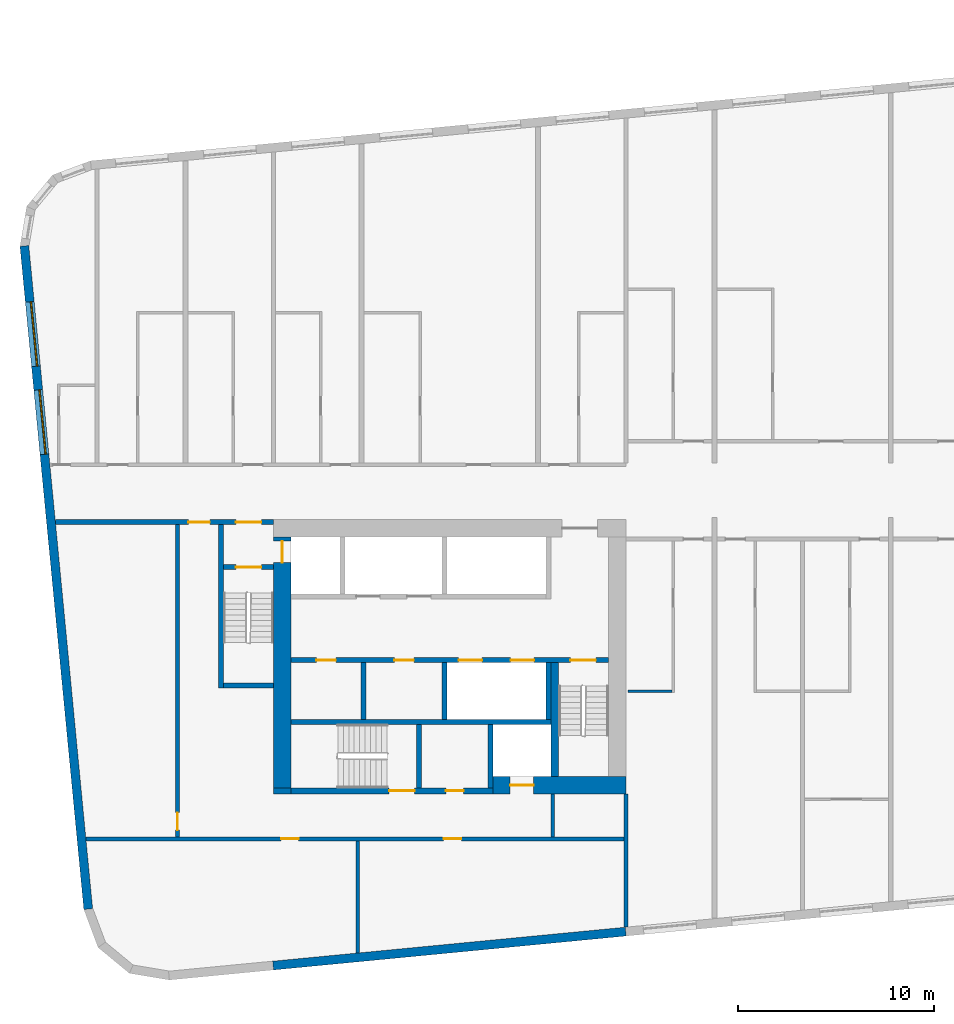
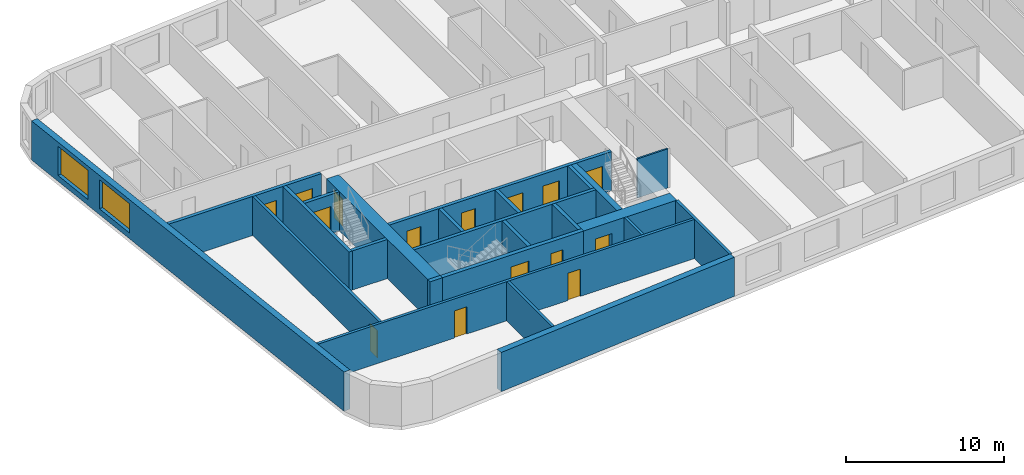
# One storey, part 2 of 12: 24 walls, 15 doors, 2 windows, 17 openings.
"""IFC4 building model written with IfcOpenShell, lengths in metres."""

import ifcopenshell
import ifcopenshell.guid

model = None  # the IFC model being written
_history = None  # IfcOwnerHistory: only IFC2X3 demands one
_inside = {}  # id of a spatial element -> (the spatial element, [elements in it])
_under = {}  # id of a project, library or spatial element -> (it, [spatial elements below it])
_declared = {}  # id of a project -> (the project, [libraries it declares])
_typed = {}  # id of a type object -> (the type object, [elements of that type])
_made_of = {}  # id of a material, layer set ... -> (it, [elements and type objects made of it])


def new_model(schema):
    """Start an empty IFC model of exactly this schema.

    Asked for "IFC4X3", IfcOpenShell would pick the latest addendum, in which some entities
    have other attributes; the version numbers below select the first issue.
    IFC2X3 requires an IfcOwnerHistory on every rooted entity: one is made here for all.
    """
    global model, _history
    if schema == "IFC4X3":
        model = ifcopenshell.file(schema_version=(4, 3, 0, 0))
    else:
        model = ifcopenshell.file(schema=schema)
    _inside.clear()
    _under.clear()
    _declared.clear()
    _typed.clear()
    _made_of.clear()
    _history = None
    if model.schema == "IFC2X3":
        org = make("IfcOrganization", Name="unknown")
        user = make(
            "IfcPersonAndOrganization",
            ThePerson=make("IfcPerson", FamilyName="unknown"),
            TheOrganization=org,
        )
        app = make(
            "IfcApplication",
            ApplicationDeveloper=org,
            Version="unknown",
            ApplicationFullName="unknown",
            ApplicationIdentifier="unknown",
        )
        _history = make(
            "IfcOwnerHistory",
            OwningUser=user,
            OwningApplication=app,
            ChangeAction="ADDED",
            CreationDate=0,
        )
    return model


def make(cls, **values):
    """One entity of the class cls with the attributes given. An attribute that is None is left unset."""
    return model.create_entity(
        cls, **{name: value for name, value in values.items() if value is not None}
    )


def rooted(cls, **values):
    """An entity with a GlobalId (a new one), such as an element, a storey or a relation."""
    return make(cls, GlobalId=ifcopenshell.guid.new(), OwnerHistory=_history, **values)


def si_unit(unit_type, name, prefix=None):
    """IfcSIUnit, for example si_unit("LENGTHUNIT", "METRE", prefix="MILLI")."""
    return make("IfcSIUnit", UnitType=unit_type, Prefix=prefix, Name=name)


def assignment(units):
    """IfcUnitAssignment: the units of a project."""
    return None if units is None else make("IfcUnitAssignment", Units=units)


def point(xyz):
    """IfcCartesianPoint."""
    return None if xyz is None else make("IfcCartesianPoint", Coordinates=xyz)


def direction(xyz):
    """IfcDirection."""
    return None if xyz is None else make("IfcDirection", DirectionRatios=xyz)


def frame(location, z_axis=None, x_axis=None):
    """IfcAxis2Placement3D, a coordinate frame: its origin and axes. An axis left out is left unset."""
    return make(
        "IfcAxis2Placement3D",
        Location=point(location),
        Axis=direction(z_axis),
        RefDirection=direction(x_axis),
    )


def frame_2d(location, x_axis=None):
    """IfcAxis2Placement2D, a coordinate frame in the plane: its origin and x axis."""
    return make(
        "IfcAxis2Placement2D", Location=point(location), RefDirection=direction(x_axis)
    )


def origin():
    """The frame at (0, 0, 0) with its axes left unset."""
    return frame((0.0, 0.0, 0.0))


def place(relative_to, where):
    """IfcLocalPlacement: puts the frame where relative to a parent placement (None: the world)."""
    return make(
        "IfcLocalPlacement", PlacementRelTo=relative_to, RelativePlacement=where
    )


def context(
    kind, dimensions, precision=None, world=None, true_north=None, identifier=None
):
    """IfcGeometricRepresentationContext, for example the 3D "Model" context."""
    return make(
        "IfcGeometricRepresentationContext",
        ContextIdentifier=identifier,
        ContextType=kind,
        CoordinateSpaceDimension=dimensions,
        Precision=precision,
        WorldCoordinateSystem=world,
        TrueNorth=true_north,
    )


def subcontext(parent, identifier, kind, view, scale=None):
    """IfcGeometricRepresentationSubContext, for example "Body" below "Model"."""
    return make(
        "IfcGeometricRepresentationSubContext",
        ContextIdentifier=identifier,
        ContextType=kind,
        ParentContext=parent,
        TargetScale=scale,
        TargetView=view,
    )


def project(units=None, contexts=None):
    """IfcProject with its units and contexts."""
    return rooted(
        "IfcProject",
        Name="project",
        RepresentationContexts=contexts,
        UnitsInContext=assignment(units),
    )


def spatial(cls, under=None, at=None, **own):
    """A site, building, storey or space (cls), placed at a placement, below another one or the project."""
    s = rooted(cls, ObjectPlacement=at, **own)
    if under is not None:
        _under.setdefault(under.id(), (under, []))[1].append(s)
    return s


def profile(cls, at=None, kind="AREA", **sizes):
    """A parametric profile (cls). Its sizes go by their IFC names, for example OverallWidth=200.0."""
    return make(cls, ProfileType=kind, Position=at, **sizes)


def rectangle(**sizes):
    """IfcRectangleProfileDef."""
    return profile("IfcRectangleProfileDef", **sizes)


def extrude(swept, where, along, depth):
    """IfcExtrudedAreaSolid: the profile swept, set in the frame where, extruded along a direction by depth."""
    return make(
        "IfcExtrudedAreaSolid",
        SweptArea=swept,
        Position=where,
        ExtrudedDirection=direction(along),
        Depth=depth,
    )


def shape(context_of_items, identifier, shape_type, items):
    """IfcShapeRepresentation: the items that make up one representation, for example the "Body"."""
    return make(
        "IfcShapeRepresentation",
        ContextOfItems=context_of_items,
        RepresentationIdentifier=identifier,
        RepresentationType=shape_type,
        Items=items,
    )


def material(Name=None, Category=None):
    """IfcMaterial."""
    return make("IfcMaterial", Name=Name, Category=Category)


def layer(
    of_material, thickness, ventilated=None, Name=None, Category=None, Priority=None
):
    """IfcMaterialLayer: one layer of a wall or slab, of a material (None: an air gap)."""
    return make(
        "IfcMaterialLayer",
        Material=of_material,
        LayerThickness=thickness,
        IsVentilated=ventilated,
        Name=Name,
        Category=Category,
        Priority=Priority,
    )


def layer_set(layers, Name=None):
    """IfcMaterialLayerSet."""
    return make("IfcMaterialLayerSet", MaterialLayers=layers, LayerSetName=Name)


def made_of(thing, what):
    """Note that an element or type object is made of a material, layer set ...; save() writes the relation."""
    if what is not None:
        _made_of.setdefault(what.id(), (what, []))[1].append(thing)
    return thing


def type_object(cls, material=None, **own):
    """A type object (cls), such as IfcWallType, which elements share."""
    return made_of(rooted(cls, **own), material)


def element(
    cls,
    number,
    at=None,
    inside=None,
    cuts=None,
    type_object=None,
    material=None,
    context=None,
    identifier="Body",
    shape_type=None,
    held_by="IfcProductDefinitionShape",
    body=None,
    shapes=None,
    **own,
):
    """One element of the class cls, such as IfcWall. Its Tag is "e" and its number.

    at: its placement. inside: the storey or other place that contains it. cuts: it is an
    opening in that element (IfcRelVoidsElement). A single representation is given by context,
    identifier, shape_type and body (its items); several are given by shapes. held_by: the class
    of the entity that holds the representations. save() writes the other relations.
    """
    e = rooted(cls, Tag="e%d" % number, ObjectPlacement=at, **own)
    if body is not None:
        shapes = [shape(context, identifier, shape_type, body)]
    if shapes is not None:
        e.Representation = make(held_by, Representations=shapes)
    if inside is not None:
        _inside.setdefault(inside.id(), (inside, []))[1].append(e)
    if cuts is not None:
        rooted(
            "IfcRelVoidsElement", RelatingBuildingElement=cuts, RelatedOpeningElement=e
        )
    if type_object is not None:
        _typed.setdefault(type_object.id(), (type_object, []))[1].append(e)
    return made_of(e, material)


def fill(opening, filler):
    """IfcRelFillsElement: the door or window that sits in an opening."""
    return rooted(
        "IfcRelFillsElement",
        RelatingOpeningElement=opening,
        RelatedBuildingElement=filler,
    )


def aggregate(whole, parts):
    """IfcRelAggregates: a whole, such as a stair, and the parts it consists of."""
    return rooted("IfcRelAggregates", RelatingObject=whole, RelatedObjects=parts)


def save(model, path):
    """Write the relations noted so far, then the file.

    IfcRelAggregates (storeys below a building ...), IfcRelContainedInSpatialStructure (elements
    in a storey), IfcRelDefinesByType, IfcRelAssociatesMaterial and IfcRelDeclares: one each for
    every whole, place, type object, material and project.
    """
    for whole, parts in _under.values():
        aggregate(whole, parts)
    for where, things in _inside.values():
        rooted(
            "IfcRelContainedInSpatialStructure",
            RelatedElements=things,
            RelatingStructure=where,
        )
    for kind, things in _typed.values():
        rooted("IfcRelDefinesByType", RelatedObjects=things, RelatingType=kind)
    for what, things in _made_of.values():
        rooted("IfcRelAssociatesMaterial", RelatedObjects=things, RelatingMaterial=what)
    for by, libraries in _declared.values():
        rooted("IfcRelDeclares", RelatingContext=by, RelatedDefinitions=libraries)
    model.write(path)


model = new_model("IFC4")

# Units and contexts
model_context = context("Model", 3, precision=1e-05, world=origin(), true_north=direction((0.0, 1.0)))
body_context = subcontext(model_context, "Body", "Model", "MODEL_VIEW")
ifc_project = project(units=[si_unit("LENGTHUNIT", "METRE"), si_unit("AREAUNIT", "SQUARE_METRE"), si_unit("VOLUMEUNIT", "CUBIC_METRE"), si_unit("PLANEANGLEUNIT", "RADIAN"), si_unit("MASSUNIT", "GRAM", prefix="KILO")], contexts=[model_context])

# Site, building, storey
site_placement = place(None, origin())
site = spatial("IfcSite", under=ifc_project, at=site_placement, CompositionType="ELEMENT")
building_placement = place(site_placement, origin())
building = spatial("IfcBuilding", under=site, at=building_placement, Name="Kajstack Hotel Tower", CompositionType="ELEMENT")
storey_placement = place(building_placement, frame((0.0, 0.0, 199.89990234375)))
storey = spatial("IfcBuildingStorey", under=building, at=storey_placement, Name="L48", CompositionType="ELEMENT", Elevation=199.89990234375)

# Wall, opening, door
ifc_material_1 = material(Name="Concrete C60/75", Category="concrete")
ifc_layer_1 = layer(ifc_material_1, 0.89990234375)
ifc_layer_set_1 = layer_set([ifc_layer_1], Name="Core wall 900")
wall_type_1 = type_object("IfcWallType", Name="Core wall 900", PredefinedType="SHEAR", material=ifc_layer_set_1)
wall_1_placement = place(storey_placement, frame((-20.300048828125, -15.050048828125, 0.0), z_axis=(0.0, 0.0, 1.0), x_axis=(1.0, 0.0, 0.0)))
wall_1 = element("IfcWall", 1, at=wall_1_placement, inside=storey, type_object=wall_type_1, Name="Core wall W RS", PredefinedType="SHEAR", context=body_context, shape_type="SweptSolid", body=[
    extrude(rectangle(XDim=6.800048828125, YDim=0.89990234375, at=frame_2d((3.39990234375, 0.0))), origin(), (0.0, 0.0, 1.0), 3.02001953125),
])
opening_1_placement = place(wall_1_placement, frame((0.875, 0.0, 0.0)))
opening_1 = element("IfcOpeningElement", 2, at=opening_1_placement, cuts=wall_1, Name="Opening LD-SV1", PredefinedType="OPENING", context=body_context, shape_type="SweptSolid", body=[
    extrude(rectangle(XDim=1.199951171875, YDim=2.10009765625, at=frame_2d((0.60009765625, 1.050048828125))), frame((0.0, 0.4599609375, 0.0), z_axis=(0.0, -1.0, 0.0), x_axis=(1.0, 0.0, 0.0)), (0.0, 0.0, 1.0), 0.919921875),
])
ifc_material_2 = material(Name="Stainless steel", Category="steel")
door_type_1 = type_object("IfcDoorType", Name="Lift landing door 1200", OperationType="SLIDING_TO_LEFT", PredefinedType="DOOR", material=ifc_material_2)
door_1_placement = place(opening_1_placement, origin())
door_1 = element("IfcDoor", 3, at=door_1_placement, inside=storey, type_object=door_type_1, Name="Landing door SV1", OperationType="SLIDING_TO_LEFT", OverallHeight=2.10009765625, OverallWidth=1.199951171875, PredefinedType="DOOR", context=body_context, shape_type="SweptSolid", body=[
    extrude(rectangle(XDim=1.199951171875, YDim=2.10009765625, at=frame_2d((0.60009765625, 1.050048828125))), frame((0.0, 0.02490234375, 0.0), z_axis=(0.0, -1.0, 0.0), x_axis=(1.0, 0.0, 0.0)), (0.0, 0.0, 1.0), 0.050048828125),
])
fill(opening_1, door_1)

# Wall
wall_2_placement = place(storey_placement, frame((-31.5, -15.35009765625, 0.0), z_axis=(0.0, 0.0, 1.0), x_axis=(1.0, 0.0, 0.0)))
element("IfcWall", 4, at=wall_2_placement, inside=storey, type_object=wall_type_1, Name="Core wall W RSW", PredefinedType="SHEAR", context=body_context, shape_type="SweptSolid", body=[
    extrude(rectangle(XDim=0.89990234375, YDim=0.300048828125, at=frame_2d((0.449951171875, 0.0))), origin(), (0.0, 0.0, 1.0), 3.02001953125),
])

# Wall, opening, door
wall_3_placement = place(storey_placement, frame((-31.050048828125, -15.199951171875, 0.0), z_axis=(0.0, 0.0, 1.0), x_axis=(0.0, 1.0, 0.0)))
wall_3 = element("IfcWall", 5, at=wall_3_placement, inside=storey, type_object=wall_type_1, Name="Core wall W RW", PredefinedType="SHEAR", context=body_context, shape_type="SweptSolid", body=[
    extrude(rectangle(XDim=12.800048828125, YDim=0.89990234375, at=frame_2d((6.39990234375, 0.0))), origin(), (0.0, 0.0, 1.0), 3.02001953125),
])
opening_2_placement = place(wall_3_placement, frame((11.5, 0.0, 0.0)))
opening_2 = element("IfcOpeningElement", 6, at=opening_2_placement, cuts=wall_3, Name="Opening LD-FF1", PredefinedType="OPENING", context=body_context, shape_type="SweptSolid", body=[
    extrude(rectangle(XDim=1.10009765625, YDim=2.10009765625, at=frame_2d((0.550048828125, 1.050048828125))), frame((0.0, 0.4599609375, 0.0), z_axis=(0.0, -1.0, 0.0), x_axis=(1.0, 0.0, 0.0)), (0.0, 0.0, 1.0), 0.919921875),
])
door_type_2 = type_object("IfcDoorType", Name="Fire-fighting lift landing door 1100", OperationType="SLIDING_TO_LEFT", PredefinedType="DOOR", material=ifc_material_2)
door_2_placement = place(opening_2_placement, origin())
door_2 = element("IfcDoor", 7, at=door_2_placement, inside=storey, type_object=door_type_2, Name="Landing door FF1", OperationType="SLIDING_TO_RIGHT", OverallHeight=2.10009765625, OverallWidth=1.10009765625, PredefinedType="DOOR", context=body_context, shape_type="SweptSolid", body=[
    extrude(rectangle(XDim=1.10009765625, YDim=2.10009765625, at=frame_2d((0.550048828125, 1.050048828125))), frame((0.0, 0.02490234375, 0.0), z_axis=(0.0, -1.0, 0.0), x_axis=(1.0, 0.0, 0.0)), (0.0, 0.0, 1.0), 0.050048828125),
])
fill(opening_2, door_2)

# Walls
ifc_material_3 = material(Name="Twin-frame gypsum board on steel studs, mineral wool", Category="steel")
ifc_layer_2 = layer(ifc_material_3, 0.199951171875)
ifc_layer_set_2 = layer_set([ifc_layer_2], Name="Demising wall 200")
wall_type_2 = type_object("IfcWallType", Name="Demising wall 200", PredefinedType="PARTITIONING", material=ifc_layer_set_2)
wall_4_placement = place(storey_placement, frame((-13.5, -22.300048828125, 0.0), z_axis=(0.0, 0.0, 1.0), x_axis=(0.0, 1.0, 0.0)))
element("IfcWall", 8, at=wall_4_placement, inside=storey, type_object=wall_type_2, Name="G-wall-L48-002", PredefinedType="PARTITIONING", context=body_context, shape_type="SweptSolid", body=[
    extrude(rectangle(XDim=6.800048828125, YDim=0.199951171875, at=frame_2d((3.39990234375, 0.0))), origin(), (0.0, 0.0, 1.0), 3.02001953125),
])
ifc_material_4 = material(Name="Concrete C40/50", Category="concrete")
ifc_layer_3 = layer(ifc_material_4, 0.449951171875)
ifc_layer_set_3 = layer_set([ifc_layer_3], Name="EW-CORE")
wall_type_3 = type_object("IfcWallType", Name="EW-CORE", PredefinedType="SOLIDWALL", material=ifc_layer_set_3)
wall_5_placement = place(storey_placement, frame((-31.521484375, -24.26171875, 0.0), z_axis=(0.0, 0.0, 1.0), x_axis=(0.995396454615, 0.095843091245, 0.0)))
element("IfcWall", 9, at=wall_5_placement, inside=storey, type_object=wall_type_3, Name="E-wall-L48-04-01", PredefinedType="SOLIDWALL", context=body_context, shape_type="SweptSolid", body=[
    extrude(rectangle(XDim=18.083251953125, YDim=0.449951171875, at=frame_2d((9.04150390625, 0.0))), origin(), (0.0, 0.0, 1.0), 3.02001953125),
])

# Wall, openings, windows
ifc_material_5 = material(Name="Terracotta-faced brick masonry", Category="masonry")
ifc_layer_4 = layer(ifc_material_5, 0.449951171875)
ifc_layer_set_4 = layer_set([ifc_layer_4], Name="EW-TERRA")
wall_type_4 = type_object("IfcWallType", Name="EW-TERRA", PredefinedType="SOLIDWALL", material=ifc_layer_set_4)
wall_6_placement = place(storey_placement, frame((-44.21435546875, 12.465576171875, 0.0), z_axis=(0.0, 0.0, 1.0), x_axis=(0.095847314626, -0.995396047952, 0.0)))
wall_6 = element("IfcWall", 10, at=wall_6_placement, inside=storey, type_object=wall_type_4, Name="E-wall-L48-00-00", PredefinedType="SOLIDWALL", context=body_context, shape_type="SweptSolid", body=[
    extrude(rectangle(XDim=33.999755859375, YDim=0.449951171875, at=frame_2d((17.0, 0.0))), origin(), (0.0, 0.0, 1.0), 3.02001953125),
])
opening_3_placement = place(wall_6_placement, frame((2.864990234375, 0.0, 0.449951171875)))
opening_3 = element("IfcOpeningElement", 11, at=opening_3_placement, cuts=wall_6, Name="Opening W2", PredefinedType="OPENING", context=body_context, shape_type="SweptSolid", body=[
    extrude(rectangle(XDim=3.300048828125, YDim=2.25, at=frame_2d((1.64990234375, 1.125))), frame((0.0, 0.23486328125, 0.0), z_axis=(0.0, -1.0, 0.0), x_axis=(1.0, 0.0, 0.0)), (0.0, 0.0, 1.0), 0.469970703125),
])
opening_4_placement = place(wall_6_placement, frame((7.3857421875, 0.0, 0.449951171875)))
opening_4 = element("IfcOpeningElement", 12, at=opening_4_placement, cuts=wall_6, Name="Opening W2", PredefinedType="OPENING", context=body_context, shape_type="SweptSolid", body=[
    extrude(rectangle(XDim=3.300048828125, YDim=2.25, at=frame_2d((1.64990234375, 1.125))), frame((0.0, 0.23486328125, 0.0), z_axis=(0.0, -1.0, 0.0), x_axis=(1.0, 0.0, 0.0)), (0.0, 0.0, 1.0), 0.469970703125),
])
ifc_material_6 = material(Name="Timber-aluminium window, triple glazed", Category="wood")
window_type = type_object("IfcWindowType", Name="WG2", PartitioningType="SINGLE_PANEL", PredefinedType="WINDOW", material=ifc_material_6)
window_1_placement = place(opening_3_placement, origin())
window_1 = element("IfcWindow", 13, at=window_1_placement, inside=storey, type_object=window_type, Name="Window W2 L48-00", OverallHeight=2.25, OverallWidth=3.300048828125, PartitioningType="SINGLE_PANEL", PredefinedType="WINDOW", context=body_context, shape_type="SweptSolid", body=[
    extrude(rectangle(XDim=3.300048828125, YDim=2.25, at=frame_2d((1.64990234375, 1.125))), frame((0.0, 0.090087890625, 0.0), z_axis=(0.0, -1.0, 0.0), x_axis=(1.0, 0.0, 0.0)), (0.0, 0.0, 1.0), 0.06005859375),
])
fill(opening_3, window_1)
window_2_placement = place(opening_4_placement, origin())
window_2 = element("IfcWindow", 14, at=window_2_placement, inside=storey, type_object=window_type, Name="Window W2 L48-00", OverallHeight=2.25, OverallWidth=3.300048828125, PartitioningType="SINGLE_PANEL", PredefinedType="WINDOW", context=body_context, shape_type="SweptSolid", body=[
    extrude(rectangle(XDim=3.300048828125, YDim=2.25, at=frame_2d((1.64990234375, 1.125))), frame((0.0, 0.090087890625, 0.0), z_axis=(0.0, -1.0, 0.0), x_axis=(1.0, 0.0, 0.0)), (0.0, 0.0, 1.0), 0.06005859375),
])
fill(opening_4, window_2)

# Walls
ifc_material_7 = material(Name="Gypsum board and tiled backer on steel studs", Category="steel")
ifc_layer_5 = layer(ifc_material_7, 0.125)
ifc_layer_set_5 = layer_set([ifc_layer_5], Name="En-suite wall 125")
wall_type_5 = type_object("IfcWallType", Name="En-suite wall 125", PredefinedType="PARTITIONING", material=ifc_layer_set_5)
wall_7_placement = place(storey_placement, frame((-13.39990234375, -10.261962890625, 0.0), z_axis=(0.0, 0.0, 1.0), x_axis=(1.0, 0.0, 0.0)))
element("IfcWall", 15, at=wall_7_placement, inside=storey, type_object=wall_type_5, Name="G-wall-L48-031", PredefinedType="PARTITIONING", context=body_context, shape_type="SweptSolid", body=[
    extrude(rectangle(XDim=2.25, YDim=0.125, at=frame_2d((1.125, 0.0))), origin(), (0.0, 0.0, 1.0), 3.02001953125),
])
ifc_material_8 = material(Name="Concrete C50/60", Category="concrete")
ifc_layer_6 = layer(ifc_material_8, 0.300048828125)
ifc_layer_set_6 = layer_set([ifc_layer_6], Name="Hoistway divider wall 300")
wall_type_6 = type_object("IfcWallType", Name="Hoistway divider wall 300", PredefinedType="SHEAR", material=ifc_layer_set_6)
wall_8_placement = place(storey_placement, frame((-22.77490234375, -11.699951171875, 0.0), z_axis=(0.0, 0.0, 1.0), x_axis=(0.0, 1.0, 0.0)))
element("IfcWall", 16, at=wall_8_placement, inside=storey, type_object=wall_type_6, Name="Core wall W BP2", PredefinedType="SHEAR", context=body_context, shape_type="SweptSolid", body=[
    extrude(rectangle(XDim=2.89990234375, YDim=0.25, at=frame_2d((1.449951171875, 0.0))), origin(), (0.0, 0.0, 1.0), 3.02001953125),
])
ifc_material_9 = material(Name="Concrete block masonry", Category="masonry")
ifc_layer_7 = layer(ifc_material_9, 0.25)
ifc_layer_set_7 = layer_set([ifc_layer_7], Name="Riser partition 250")
wall_type_7 = type_object("IfcWallType", Name="Riser partition 250", PredefinedType="PARTITIONING", material=ifc_layer_set_7)
wall_9_placement = place(storey_placement, frame((-26.89990234375, -11.699951171875, 0.0), z_axis=(0.0, 0.0, 1.0), x_axis=(0.0, 1.0, 0.0)))
element("IfcWall", 17, at=wall_9_placement, inside=storey, type_object=wall_type_7, Name="Partition W BF0", PredefinedType="PARTITIONING", context=body_context, shape_type="SweptSolid", body=[
    extrude(rectangle(XDim=2.89990234375, YDim=0.25, at=frame_2d((1.449951171875, 0.0))), origin(), (0.0, 0.0, 1.0), 3.02001953125),
])

# Wall, openings, doors
ifc_material_10 = material(Name="Gypsum board on steel studs, mineral wool", Category="steel")
ifc_layer_8 = layer(ifc_material_10, 0.199951171875)
ifc_layer_set_8 = layer_set([ifc_layer_8], Name="Service partition 200")
wall_type_8 = type_object("IfcWallType", Name="Service partition 200", PredefinedType="PARTITIONING", material=ifc_layer_set_8)
wall_10_placement = place(storey_placement, frame((-42.631591796875, -1.625, 0.0), z_axis=(0.0, 0.0, 1.0), x_axis=(1.0, 0.0, 0.0)))
wall_10 = element("IfcWall", 18, at=wall_10_placement, inside=storey, type_object=wall_type_8, Name="Partition W SN", PredefinedType="PARTITIONING", context=body_context, shape_type="SweptSolid", body=[
    extrude(rectangle(XDim=11.131591796875, YDim=0.25, at=frame_2d((5.56591796875, 0.0))), origin(), (0.0, 0.0, 1.0), 3.02001953125),
])
opening_5_placement = place(wall_10_placement, frame((9.20654296875, 0.0, 0.0)))
opening_5 = element("IfcOpeningElement", 19, at=opening_5_placement, cuts=wall_10, Name="Opening 48W08", PredefinedType="OPENING", context=body_context, shape_type="SweptSolid", body=[
    extrude(rectangle(XDim=1.300048828125, YDim=2.10009765625, at=frame_2d((0.64990234375, 1.050048828125))), frame((0.0, 0.135009765625, 0.0), z_axis=(0.0, -1.0, 0.0), x_axis=(1.0, 0.0, 0.0)), (0.0, 0.0, 1.0), 0.27001953125),
])
opening_6_placement = place(wall_10_placement, frame((6.781494140625, 0.0, 0.0)))
opening_6 = element("IfcOpeningElement", 20, at=opening_6_placement, cuts=wall_10, Name="Opening 48W10", PredefinedType="OPENING", context=body_context, shape_type="SweptSolid", body=[
    extrude(rectangle(XDim=1.10009765625, YDim=2.10009765625, at=frame_2d((0.550048828125, 1.050048828125))), frame((0.0, 0.135009765625, 0.0), z_axis=(0.0, -1.0, 0.0), x_axis=(1.0, 0.0, 0.0)), (0.0, 0.0, 1.0), 0.27001953125),
])
ifc_material_11 = material(Name="Steel leaf, fire-rated", Category="steel")
door_type_3 = type_object("IfcDoorType", Name="Fire lobby door 1300", OperationType="SINGLE_SWING_LEFT", PredefinedType="DOOR", material=ifc_material_11)
door_3_placement = place(opening_5_placement, origin())
door_3 = element("IfcDoor", 21, at=door_3_placement, inside=storey, type_object=door_type_3, Name="Door 48W08", OperationType="SINGLE_SWING_RIGHT", OverallHeight=2.10009765625, OverallWidth=1.300048828125, PredefinedType="DOOR", context=body_context, shape_type="SweptSolid", body=[
    extrude(rectangle(XDim=1.300048828125, YDim=2.10009765625, at=frame_2d((0.64990234375, 1.050048828125))), frame((0.0, 0.02490234375, 0.0), z_axis=(0.0, -1.0, 0.0), x_axis=(1.0, 0.0, 0.0)), (0.0, 0.0, 1.0), 0.050048828125),
])
fill(opening_5, door_3)
ifc_material_12 = material(Name="Timber leaf, fire-rated", Category="wood")
door_type_4 = type_object("IfcDoorType", Name="Service corridor door 1100", OperationType="SINGLE_SWING_LEFT", PredefinedType="DOOR", material=ifc_material_12)
door_4_placement = place(opening_6_placement, origin())
door_4 = element("IfcDoor", 22, at=door_4_placement, inside=storey, type_object=door_type_4, Name="Door 48W10", OperationType="SINGLE_SWING_RIGHT", OverallHeight=2.10009765625, OverallWidth=1.10009765625, PredefinedType="DOOR", context=body_context, shape_type="SweptSolid", body=[
    extrude(rectangle(XDim=1.10009765625, YDim=2.10009765625, at=frame_2d((0.550048828125, 1.050048828125))), frame((0.0, 0.02490234375, 0.0), z_axis=(0.0, -1.0, 0.0), x_axis=(1.0, 0.0, 0.0)), (0.0, 0.0, 1.0), 0.050048828125),
])
fill(opening_6, door_4)

# Wall
wall_11_placement = place(storey_placement, frame((-17.25, -17.699951171875, 0.0), z_axis=(0.0, 0.0, 1.0), x_axis=(0.0, 1.0, 0.0)))
element("IfcWall", 23, at=wall_11_placement, inside=storey, type_object=wall_type_8, Name="Partition W SCE", PredefinedType="PARTITIONING", context=body_context, shape_type="SweptSolid", body=[
    extrude(rectangle(XDim=2.199951171875, YDim=0.199951171875, at=frame_2d((1.10009765625, 0.0))), origin(), (0.0, 0.0, 1.0), 3.02001953125),
])

# Wall, opening, door
wall_12_placement = place(storey_placement, frame((-36.39990234375, -17.699951171875, 0.0), z_axis=(0.0, 0.0, 1.0), x_axis=(0.0, 1.0, 0.0)))
wall_12 = element("IfcWall", 24, at=wall_12_placement, inside=storey, type_object=wall_type_8, Name="Partition W WRE", PredefinedType="PARTITIONING", context=body_context, shape_type="SweptSolid", body=[
    extrude(rectangle(XDim=15.949951171875, YDim=0.199951171875, at=frame_2d((7.97509765625, 0.0))), origin(), (0.0, 0.0, 1.0), 3.02001953125),
])
opening_7_placement = place(wall_12_placement, frame((0.35009765625, 0.0, 0.0)))
opening_7 = element("IfcOpeningElement", 25, at=opening_7_placement, cuts=wall_12, Name="Opening 48W18", PredefinedType="OPENING", context=body_context, shape_type="SweptSolid", body=[
    extrude(rectangle(XDim=0.89990234375, YDim=2.10009765625, at=frame_2d((0.449951171875, 1.050048828125))), frame((0.0, 0.10986328125, 0.0), z_axis=(0.0, -1.0, 0.0), x_axis=(1.0, 0.0, 0.0)), (0.0, 0.0, 1.0), 0.219970703125),
])
door_type_5 = type_object("IfcDoorType", Name="Service door 900", OperationType="SINGLE_SWING_LEFT", PredefinedType="DOOR", material=ifc_material_12)
door_5_placement = place(opening_7_placement, origin())
door_5 = element("IfcDoor", 26, at=door_5_placement, inside=storey, type_object=door_type_5, Name="Door 48W18", OperationType="SINGLE_SWING_LEFT", OverallHeight=2.10009765625, OverallWidth=0.89990234375, PredefinedType="DOOR", context=body_context, shape_type="SweptSolid", body=[
    extrude(rectangle(XDim=0.89990234375, YDim=2.10009765625, at=frame_2d((0.449951171875, 1.050048828125))), frame((0.0, 0.02490234375, 0.0), z_axis=(0.0, -1.0, 0.0), x_axis=(1.0, 0.0, 0.0)), (0.0, 0.0, 1.0), 0.050048828125),
])
fill(opening_7, door_5)

# Wall, openings, doors
wall_13_placement = place(storey_placement, frame((-41.07421875, -17.800048828125, 0.0), z_axis=(0.0, 0.0, 1.0), x_axis=(1.0, 0.0, 0.0)))
wall_13 = element("IfcWall", 27, at=wall_13_placement, inside=storey, type_object=wall_type_8, Name="Partition W SLN", PredefinedType="PARTITIONING", context=body_context, shape_type="SweptSolid", body=[
    extrude(rectangle(XDim=27.47412109375, YDim=0.199951171875, at=frame_2d((13.737060546875, 0.0))), origin(), (0.0, 0.0, 1.0), 3.02001953125),
])
opening_8_placement = place(wall_13_placement, frame((9.961669921875, 0.0, 0.0)))
opening_8 = element("IfcOpeningElement", 28, at=opening_8_placement, cuts=wall_13, Name="Opening 48W16", PredefinedType="OPENING", context=body_context, shape_type="SweptSolid", body=[
    extrude(rectangle(XDim=0.89990234375, YDim=2.10009765625, at=frame_2d((0.449951171875, 1.050048828125))), frame((0.0, 0.10986328125, 0.0), z_axis=(0.0, -1.0, 0.0), x_axis=(1.0, 0.0, 0.0)), (0.0, 0.0, 1.0), 0.219970703125),
])
opening_9_placement = place(wall_13_placement, frame((18.26171875, 0.0, 0.0)))
opening_9 = element("IfcOpeningElement", 29, at=opening_9_placement, cuts=wall_13, Name="Opening 48W17", PredefinedType="OPENING", context=body_context, shape_type="SweptSolid", body=[
    extrude(rectangle(XDim=0.89990234375, YDim=2.10009765625, at=frame_2d((0.449951171875, 1.050048828125))), frame((0.0, 0.10986328125, 0.0), z_axis=(0.0, -1.0, 0.0), x_axis=(1.0, 0.0, 0.0)), (0.0, 0.0, 1.0), 0.219970703125),
])
door_6_placement = place(opening_8_placement, origin())
door_6 = element("IfcDoor", 30, at=door_6_placement, inside=storey, type_object=door_type_5, Name="Door 48W16", OperationType="SINGLE_SWING_RIGHT", OverallHeight=2.10009765625, OverallWidth=0.89990234375, PredefinedType="DOOR", context=body_context, shape_type="SweptSolid", body=[
    extrude(rectangle(XDim=0.89990234375, YDim=2.10009765625, at=frame_2d((0.449951171875, 1.050048828125))), frame((0.0, 0.02490234375, 0.0), z_axis=(0.0, -1.0, 0.0), x_axis=(1.0, 0.0, 0.0)), (0.0, 0.0, 1.0), 0.050048828125),
])
fill(opening_8, door_6)
door_7_placement = place(opening_9_placement, origin())
door_7 = element("IfcDoor", 31, at=door_7_placement, inside=storey, type_object=door_type_5, Name="Door 48W17", OperationType="SINGLE_SWING_RIGHT", OverallHeight=2.10009765625, OverallWidth=0.89990234375, PredefinedType="DOOR", context=body_context, shape_type="SweptSolid", body=[
    extrude(rectangle(XDim=0.89990234375, YDim=2.10009765625, at=frame_2d((0.449951171875, 1.050048828125))), frame((0.0, 0.02490234375, 0.0), z_axis=(0.0, -1.0, 0.0), x_axis=(1.0, 0.0, 0.0)), (0.0, 0.0, 1.0), 0.050048828125),
])
fill(opening_9, door_7)

# Wall
wall_14_placement = place(storey_placement, frame((-27.199951171875, -23.62060546875, 0.0), z_axis=(0.0, 0.0, 1.0), x_axis=(0.0, 1.0, 0.0)))
element("IfcWall", 32, at=wall_14_placement, inside=storey, type_object=wall_type_8, Name="Partition W SLP0", PredefinedType="PARTITIONING", context=body_context, shape_type="SweptSolid", body=[
    extrude(rectangle(XDim=5.720703125, YDim=0.199951171875, at=frame_2d((2.8603515625, 0.0))), origin(), (0.0, 0.0, 1.0), 3.02001953125),
])

# Wall, openings, doors
ifc_layer_9 = layer(ifc_material_8, 0.25)
ifc_layer_set_9 = layer_set([ifc_layer_9], Name="Shaft wall 250")
wall_type_9 = type_object("IfcWallType", Name="Shaft wall 250", PredefinedType="SHEAR", material=ifc_layer_set_9)
wall_15_placement = place(storey_placement, frame((-30.60009765625, -15.35009765625, 0.0), z_axis=(0.0, 0.0, 1.0), x_axis=(1.0, 0.0, 0.0)))
wall_15 = element("IfcWall", 33, at=wall_15_placement, inside=storey, type_object=wall_type_9, Name="Core wall W RSS", PredefinedType="SHEAR", context=body_context, shape_type="SweptSolid", body=[
    extrude(rectangle(XDim=10.300048828125, YDim=0.300048828125, at=frame_2d((5.14990234375, 0.0))), origin(), (0.0, 0.0, 1.0), 3.02001953125),
])
opening_10_placement = place(wall_15_placement, frame((5.0, 0.0, 0.0)))
opening_10 = element("IfcOpeningElement", 34, at=opening_10_placement, cuts=wall_15, Name="Opening 48W12", PredefinedType="OPENING", context=body_context, shape_type="SweptSolid", body=[
    extrude(rectangle(XDim=1.300048828125, YDim=2.10009765625, at=frame_2d((0.64990234375, 1.050048828125))), frame((0.0, 0.159912109375, 0.0), z_axis=(0.0, -1.0, 0.0), x_axis=(1.0, 0.0, 0.0)), (0.0, 0.0, 1.0), 0.320068359375),
])
opening_11_placement = place(wall_15_placement, frame((7.89990234375, 0.0, 0.0)))
opening_11 = element("IfcOpeningElement", 35, at=opening_11_placement, cuts=wall_15, Name="Opening 48W13", PredefinedType="OPENING", context=body_context, shape_type="SweptSolid", body=[
    extrude(rectangle(XDim=0.89990234375, YDim=2.10009765625, at=frame_2d((0.449951171875, 1.050048828125))), frame((0.0, 0.159912109375, 0.0), z_axis=(0.0, -1.0, 0.0), x_axis=(1.0, 0.0, 0.0)), (0.0, 0.0, 1.0), 0.320068359375),
])
door_8_placement = place(opening_11_placement, origin())
door_8 = element("IfcDoor", 36, at=door_8_placement, inside=storey, type_object=door_type_5, Name="Door 48W13", OperationType="SINGLE_SWING_LEFT", OverallHeight=2.10009765625, OverallWidth=0.89990234375, PredefinedType="DOOR", context=body_context, shape_type="SweptSolid", body=[
    extrude(rectangle(XDim=0.89990234375, YDim=2.10009765625, at=frame_2d((0.449951171875, 1.050048828125))), frame((0.0, 0.02490234375, 0.0), z_axis=(0.0, -1.0, 0.0), x_axis=(1.0, 0.0, 0.0)), (0.0, 0.0, 1.0), 0.050048828125),
])
fill(opening_11, door_8)
door_type_6 = type_object("IfcDoorType", Name="Stair door 1300", OperationType="SINGLE_SWING_LEFT", PredefinedType="DOOR", material=ifc_material_11)
door_9_placement = place(opening_10_placement, origin())
door_9 = element("IfcDoor", 37, at=door_9_placement, inside=storey, type_object=door_type_6, Name="Door 48W12", OperationType="SINGLE_SWING_RIGHT", OverallHeight=2.10009765625, OverallWidth=1.300048828125, PredefinedType="DOOR", context=body_context, shape_type="SweptSolid", body=[
    extrude(rectangle(XDim=1.300048828125, YDim=2.10009765625, at=frame_2d((0.64990234375, 1.050048828125))), frame((0.0, 0.02490234375, 0.0), z_axis=(0.0, -1.0, 0.0), x_axis=(1.0, 0.0, 0.0)), (0.0, 0.0, 1.0), 0.050048828125),
])
fill(opening_10, door_9)

wall_16_placement = place(storey_placement, frame((-30.60009765625, -8.675048828125, 0.0), z_axis=(0.0, 0.0, 1.0), x_axis=(1.0, 0.0, 0.0)))
wall_16 = element("IfcWall", 38, at=wall_16_placement, inside=storey, type_object=wall_type_9, Name="Core wall W FB", PredefinedType="SHEAR", context=body_context, shape_type="SweptSolid", body=[
    extrude(rectangle(XDim=16.2001953125, YDim=0.25, at=frame_2d((8.10009765625, 0.0))), origin(), (0.0, 0.0, 1.0), 3.02001953125),
])
opening_12_placement = place(wall_16_placement, frame((8.550048828125, 0.0, 0.0)))
opening_12 = element("IfcOpeningElement", 39, at=opening_12_placement, cuts=wall_16, Name="Opening LD-MR1", PredefinedType="OPENING", context=body_context, shape_type="SweptSolid", body=[
    extrude(rectangle(XDim=1.199951171875, YDim=2.10009765625, at=frame_2d((0.60009765625, 1.050048828125))), frame((0.0, 0.135009765625, 0.0), z_axis=(0.0, -1.0, 0.0), x_axis=(1.0, 0.0, 0.0)), (0.0, 0.0, 1.0), 0.27001953125),
])
opening_13_placement = place(wall_16_placement, frame((11.199951171875, 0.0, 0.0)))
opening_13 = element("IfcOpeningElement", 40, at=opening_13_placement, cuts=wall_16, Name="Opening LD-MR2", PredefinedType="OPENING", context=body_context, shape_type="SweptSolid", body=[
    extrude(rectangle(XDim=1.199951171875, YDim=2.10009765625, at=frame_2d((0.60009765625, 1.050048828125))), frame((0.0, 0.135009765625, 0.0), z_axis=(0.0, -1.0, 0.0), x_axis=(1.0, 0.0, 0.0)), (0.0, 0.0, 1.0), 0.27001953125),
])
opening_14_placement = place(wall_16_placement, frame((14.25, 0.0, 0.0)))
opening_14 = element("IfcOpeningElement", 41, at=opening_14_placement, cuts=wall_16, Name="Opening 48W11", PredefinedType="OPENING", context=body_context, shape_type="SweptSolid", body=[
    extrude(rectangle(XDim=1.300048828125, YDim=2.10009765625, at=frame_2d((0.64990234375, 1.050048828125))), frame((0.0, 0.135009765625, 0.0), z_axis=(0.0, -1.0, 0.0), x_axis=(1.0, 0.0, 0.0)), (0.0, 0.0, 1.0), 0.27001953125),
])
opening_15_placement = place(wall_16_placement, frame((1.28759765625, 0.0, 0.0)))
opening_15 = element("IfcOpeningElement", 42, at=opening_15_placement, cuts=wall_16, Name="Opening 48W14", PredefinedType="OPENING", context=body_context, shape_type="SweptSolid", body=[
    extrude(rectangle(XDim=1.0, YDim=2.10009765625, at=frame_2d((0.5, 1.050048828125))), frame((0.0, 0.135009765625, 0.0), z_axis=(0.0, -1.0, 0.0), x_axis=(1.0, 0.0, 0.0)), (0.0, 0.0, 1.0), 0.27001953125),
])
opening_16_placement = place(wall_16_placement, frame((5.262451171875, 0.0, 0.0)))
opening_16 = element("IfcOpeningElement", 43, at=opening_16_placement, cuts=wall_16, Name="Opening 48W15", PredefinedType="OPENING", context=body_context, shape_type="SweptSolid", body=[
    extrude(rectangle(XDim=1.0, YDim=2.10009765625, at=frame_2d((0.5, 1.050048828125))), frame((0.0, 0.135009765625, 0.0), z_axis=(0.0, -1.0, 0.0), x_axis=(1.0, 0.0, 0.0)), (0.0, 0.0, 1.0), 0.27001953125),
])
door_10_placement = place(opening_12_placement, origin())
door_10 = element("IfcDoor", 44, at=door_10_placement, inside=storey, type_object=door_type_1, Name="Landing door MR1", OperationType="SLIDING_TO_LEFT", OverallHeight=2.10009765625, OverallWidth=1.199951171875, PredefinedType="DOOR", context=body_context, shape_type="SweptSolid", body=[
    extrude(rectangle(XDim=1.199951171875, YDim=2.10009765625, at=frame_2d((0.60009765625, 1.050048828125))), frame((0.0, 0.02490234375, 0.0), z_axis=(0.0, -1.0, 0.0), x_axis=(1.0, 0.0, 0.0)), (0.0, 0.0, 1.0), 0.050048828125),
])
fill(opening_12, door_10)
door_11_placement = place(opening_13_placement, origin())
door_11 = element("IfcDoor", 45, at=door_11_placement, inside=storey, type_object=door_type_1, Name="Landing door MR2", OperationType="SLIDING_TO_RIGHT", OverallHeight=2.10009765625, OverallWidth=1.199951171875, PredefinedType="DOOR", context=body_context, shape_type="SweptSolid", body=[
    extrude(rectangle(XDim=1.199951171875, YDim=2.10009765625, at=frame_2d((0.60009765625, 1.050048828125))), frame((0.0, 0.02490234375, 0.0), z_axis=(0.0, -1.0, 0.0), x_axis=(1.0, 0.0, 0.0)), (0.0, 0.0, 1.0), 0.050048828125),
])
fill(opening_13, door_11)
door_type_7 = type_object("IfcDoorType", Name="Service room door 1000", OperationType="SINGLE_SWING_LEFT", PredefinedType="DOOR", material=ifc_material_12)
door_12_placement = place(opening_15_placement, origin())
door_12 = element("IfcDoor", 46, at=door_12_placement, inside=storey, type_object=door_type_7, Name="Door 48W14", OperationType="SINGLE_SWING_RIGHT", OverallHeight=2.10009765625, OverallWidth=1.0, PredefinedType="DOOR", context=body_context, shape_type="SweptSolid", body=[
    extrude(rectangle(XDim=1.0, YDim=2.10009765625, at=frame_2d((0.5, 1.050048828125))), frame((0.0, 0.02490234375, 0.0), z_axis=(0.0, -1.0, 0.0), x_axis=(1.0, 0.0, 0.0)), (0.0, 0.0, 1.0), 0.050048828125),
])
fill(opening_15, door_12)
door_13_placement = place(opening_16_placement, origin())
door_13 = element("IfcDoor", 47, at=door_13_placement, inside=storey, type_object=door_type_7, Name="Door 48W15", OperationType="SINGLE_SWING_RIGHT", OverallHeight=2.10009765625, OverallWidth=1.0, PredefinedType="DOOR", context=body_context, shape_type="SweptSolid", body=[
    extrude(rectangle(XDim=1.0, YDim=2.10009765625, at=frame_2d((0.5, 1.050048828125))), frame((0.0, 0.02490234375, 0.0), z_axis=(0.0, -1.0, 0.0), x_axis=(1.0, 0.0, 0.0)), (0.0, 0.0, 1.0), 0.050048828125),
])
fill(opening_16, door_13)
door_14_placement = place(opening_14_placement, origin())
door_14 = element("IfcDoor", 48, at=door_14_placement, inside=storey, type_object=door_type_6, Name="Door 48W11", OperationType="SINGLE_SWING_RIGHT", OverallHeight=2.10009765625, OverallWidth=1.300048828125, PredefinedType="DOOR", context=body_context, shape_type="SweptSolid", body=[
    extrude(rectangle(XDim=1.300048828125, YDim=2.10009765625, at=frame_2d((0.64990234375, 1.050048828125))), frame((0.0, 0.02490234375, 0.0), z_axis=(0.0, -1.0, 0.0), x_axis=(1.0, 0.0, 0.0)), (0.0, 0.0, 1.0), 0.050048828125),
])
fill(opening_14, door_14)

# Walls
wall_17_placement = place(storey_placement, frame((-30.60009765625, -11.824951171875, 0.0), z_axis=(0.0, 0.0, 1.0), x_axis=(1.0, 0.0, 0.0)))
element("IfcWall", 49, at=wall_17_placement, inside=storey, type_object=wall_type_9, Name="Core wall W RB", PredefinedType="SHEAR", context=body_context, shape_type="SweptSolid", body=[
    extrude(rectangle(XDim=13.25, YDim=0.25, at=frame_2d((6.625, 0.0))), origin(), (0.0, 0.0, 1.0), 3.02001953125),
])
wall_18_placement = place(storey_placement, frame((-17.47509765625, -11.699951171875, 0.0), z_axis=(0.0, 0.0, 1.0), x_axis=(0.0, 1.0, 0.0)))
element("IfcWall", 50, at=wall_18_placement, inside=storey, type_object=wall_type_9, Name="Core wall W BE", PredefinedType="SHEAR", context=body_context, shape_type="SweptSolid", body=[
    extrude(rectangle(XDim=2.89990234375, YDim=0.25, at=frame_2d((1.449951171875, 0.0))), origin(), (0.0, 0.0, 1.0), 3.02001953125),
])
wall_19_placement = place(storey_placement, frame((-20.425048828125, -15.199951171875, 0.0), z_axis=(0.0, 0.0, 1.0), x_axis=(0.0, 1.0, 0.0)))
element("IfcWall", 51, at=wall_19_placement, inside=storey, type_object=wall_type_9, Name="Core wall W SVW", PredefinedType="SHEAR", context=body_context, shape_type="SweptSolid", body=[
    extrude(rectangle(XDim=3.25, YDim=0.25, at=frame_2d((1.625, 0.0))), origin(), (0.0, 0.0, 1.0), 3.02001953125),
])

# Wall, opening, door
ifc_layer_10 = layer(ifc_material_4, 0.25)
ifc_layer_set_10 = layer_set([ifc_layer_10], Name="Stair enclosure wall 250")
wall_type_10 = type_object("IfcWallType", Name="Stair enclosure wall 250", PredefinedType="SHEAR", material=ifc_layer_set_10)
wall_20_placement = place(storey_placement, frame((-34.050048828125, -3.925048828125, 0.0), z_axis=(0.0, 0.0, 1.0), x_axis=(1.0, 0.0, 0.0)))
wall_20 = element("IfcWall", 52, at=wall_20_placement, inside=storey, type_object=wall_type_10, Name="Core wall W W1N", PredefinedType="SHEAR", context=body_context, shape_type="SweptSolid", body=[
    extrude(rectangle(XDim=2.550048828125, YDim=0.25, at=frame_2d((1.27490234375, 0.0))), origin(), (0.0, 0.0, 1.0), 3.02001953125),
])
opening_17_placement = place(wall_20_placement, frame((0.625, 0.0, 0.0)))
opening_17 = element("IfcOpeningElement", 53, at=opening_17_placement, cuts=wall_20, Name="Opening 48W09", PredefinedType="OPENING", context=body_context, shape_type="SweptSolid", body=[
    extrude(rectangle(XDim=1.300048828125, YDim=2.10009765625, at=frame_2d((0.64990234375, 1.050048828125))), frame((0.0, 0.135009765625, 0.0), z_axis=(0.0, -1.0, 0.0), x_axis=(1.0, 0.0, 0.0)), (0.0, 0.0, 1.0), 0.27001953125),
])
door_15_placement = place(opening_17_placement, origin())
door_15 = element("IfcDoor", 54, at=door_15_placement, inside=storey, type_object=door_type_6, Name="Door 48W09", OperationType="SINGLE_SWING_RIGHT", OverallHeight=2.10009765625, OverallWidth=1.300048828125, PredefinedType="DOOR", context=body_context, shape_type="SweptSolid", body=[
    extrude(rectangle(XDim=1.300048828125, YDim=2.10009765625, at=frame_2d((0.64990234375, 1.050048828125))), frame((0.0, 0.02490234375, 0.0), z_axis=(0.0, -1.0, 0.0), x_axis=(1.0, 0.0, 0.0)), (0.0, 0.0, 1.0), 0.050048828125),
])
fill(opening_17, door_15)

# Walls
wall_21_placement = place(storey_placement, frame((-34.175048828125, -10.10009765625, 0.0), z_axis=(0.0, 0.0, 1.0), x_axis=(0.0, 1.0, 0.0)))
element("IfcWall", 55, at=wall_21_placement, inside=storey, type_object=wall_type_10, Name="Core wall W W1W", PredefinedType="SHEAR", context=body_context, shape_type="SweptSolid", body=[
    extrude(rectangle(XDim=8.35009765625, YDim=0.25, at=frame_2d((4.175048828125, 0.0))), origin(), (0.0, 0.0, 1.0), 3.02001953125),
])
wall_22_placement = place(storey_placement, frame((-34.050048828125, -9.97509765625, 0.0), z_axis=(0.0, 0.0, 1.0), x_axis=(1.0, 0.0, 0.0)))
element("IfcWall", 56, at=wall_22_placement, inside=storey, type_object=wall_type_10, Name="Core wall W W1S", PredefinedType="SHEAR", context=body_context, shape_type="SweptSolid", body=[
    extrude(rectangle(XDim=2.550048828125, YDim=0.25, at=frame_2d((1.27490234375, 0.0))), origin(), (0.0, 0.0, 1.0), 3.02001953125),
])
ifc_layer_11 = layer(ifc_material_8, 0.35009765625)
ifc_layer_set_11 = layer_set([ifc_layer_11], Name="Stair enclosure wall 350")
wall_type_11 = type_object("IfcWallType", Name="Stair enclosure wall 350", PredefinedType="SHEAR", material=ifc_layer_set_11)
wall_23_placement = place(storey_placement, frame((-24.074951171875, -15.199951171875, 0.0), z_axis=(0.0, 0.0, 1.0), x_axis=(0.0, 1.0, 0.0)))
element("IfcWall", 57, at=wall_23_placement, inside=storey, type_object=wall_type_11, Name="Core wall W W3E", PredefinedType="SHEAR", context=body_context, shape_type="SweptSolid", body=[
    extrude(rectangle(XDim=3.25, YDim=0.25, at=frame_2d((1.625, 0.0))), origin(), (0.0, 0.0, 1.0), 3.02001953125),
])
ifc_layer_12 = layer(ifc_material_8, 0.39990234375)
ifc_layer_set_12 = layer_set([ifc_layer_12], Name="Stair wall 400")
wall_type_12 = type_object("IfcWallType", Name="Stair wall 400", PredefinedType="SHEAR", material=ifc_layer_set_12)
wall_24_placement = place(storey_placement, frame((-17.14990234375, -14.60009765625, 0.0), z_axis=(0.0, 0.0, 1.0), x_axis=(0.0, 1.0, 0.0)))
element("IfcWall", 58, at=wall_24_placement, inside=storey, type_object=wall_type_12, Name="Core wall W WW2", PredefinedType="SHEAR", context=body_context, shape_type="SweptSolid", body=[
    extrude(rectangle(XDim=5.800048828125, YDim=0.39990234375, at=frame_2d((2.89990234375, 0.0))), origin(), (0.0, 0.0, 1.0), 3.02001953125),
])

save(model, "model.ifc")
